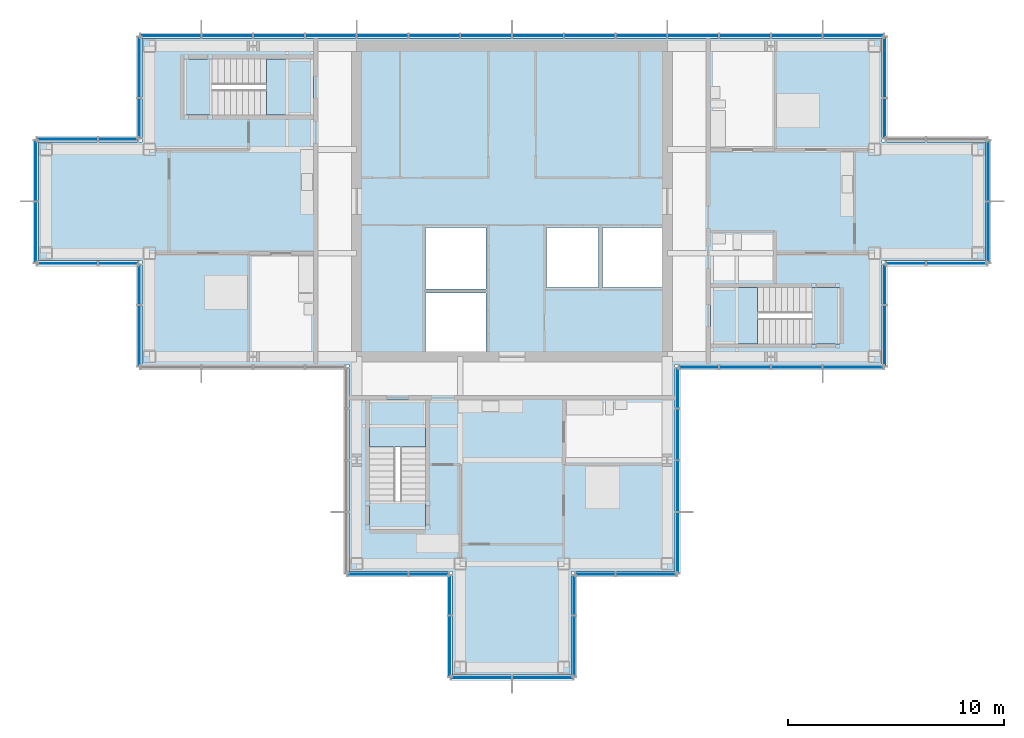
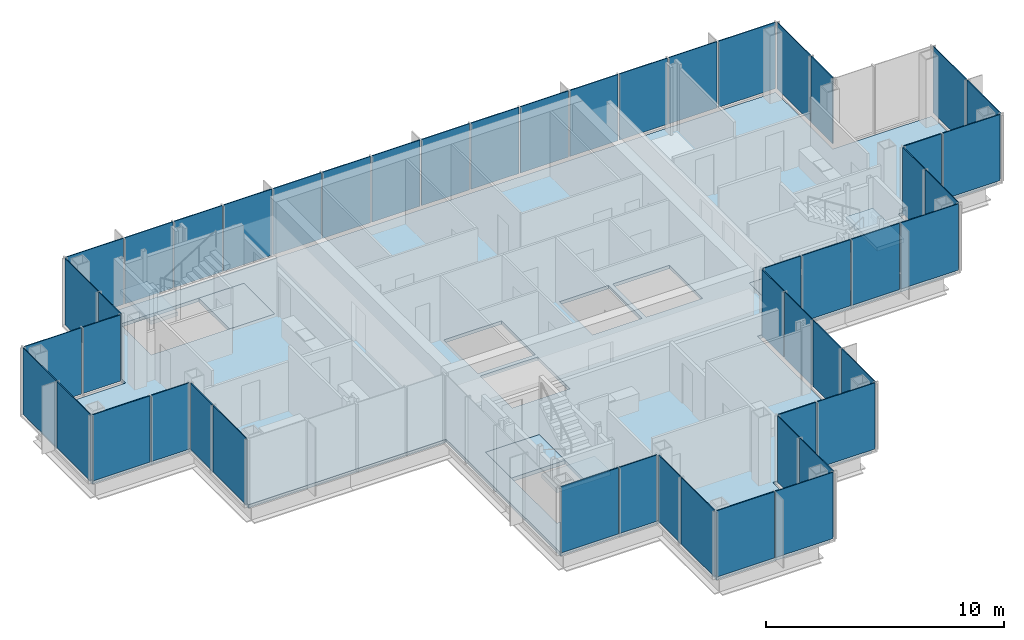
# One storey, part 9 of 15: 50 plates, 7 slabs, 20 elements without a shape of their own.
"""IFC4 building model written with IfcOpenShell, lengths in metres."""

from ifc_helpers import new_model, si_unit, direction, frame, origin, origin_2d, place, context, subcontext, project, spatial, polyline, rectangle, outline, extrude, material, layer, layer_set, type_object, element, aggregate, save


model = new_model("IFC4")

# Units and contexts
model_context = context("Model", 3, precision=1e-05, world=origin(), true_north=direction((0.0, 1.0)))
body_context = subcontext(model_context, "Body", "Model", "MODEL_VIEW")
ifc_project = project(units=[si_unit("LENGTHUNIT", "METRE"), si_unit("AREAUNIT", "SQUARE_METRE"), si_unit("VOLUMEUNIT", "CUBIC_METRE"), si_unit("PLANEANGLEUNIT", "RADIAN"), si_unit("MASSUNIT", "GRAM", prefix="KILO")], contexts=[model_context])

# Site, building, storey
site_placement = place(None, origin())
site = spatial("IfcSite", under=ifc_project, at=site_placement, CompositionType="ELEMENT")
building_placement = place(site_placement, origin())
building = spatial("IfcBuilding", under=site, at=building_placement, Name="Kvirike Care Tower", CompositionType="ELEMENT")
storey_placement = place(building_placement, frame((0.0, 0.0, 198.0)))
storey = spatial("IfcBuildingStorey", under=building, at=storey_placement, Name="L54", CompositionType="ELEMENT", Elevation=198.0)

# Slab
ifc_material_1 = material(Name="Concrete C35/45", Category="concrete")
ifc_layer_1 = layer(ifc_material_1, 0.169921875)
ifc_layer_set_1 = layer_set([ifc_layer_1], Name="FLOOR SLAB 170")
slab_type_1 = type_object("IfcSlabType", Name="FLOOR SLAB 170", PredefinedType="FLOOR", material=ifc_layer_set_1)
slab_1_placement = place(storey_placement, frame((0.0, 0.0, -0.169921875)))
element("IfcSlab", 1, at=slab_1_placement, inside=storey, type_object=slab_type_1, Name="Floor slab L54", PredefinedType="FLOOR", context=body_context, shape_type="SweptSolid", body=[
    extrude(outline(polyline([(29.14990234375, 28.449951171875), (38.75, 28.449951171875), (38.75, 33.25), (43.550048828125, 33.25), (43.550048828125, 38.75), (38.75, 38.75), (38.75, 43.550048828125), (4.449951171875, 43.550048828125), (4.449951171875, 38.75), (-0.35009765625, 38.75), (-0.35009765625, 33.25), (4.449951171875, 33.25), (4.449951171875, 28.449951171875), (14.050048828125, 28.449951171875), (14.050048828125, 18.85009765625), (18.85009765625, 18.85009765625), (18.85009765625, 14.050048828125), (24.35009765625, 14.050048828125), (24.35009765625, 18.85009765625), (29.14990234375, 18.85009765625), (29.14990234375, 28.449951171875)]), holes=[polyline([(17.60009765625, 29.050048828125), (17.60009765625, 31.75), (20.39990234375, 31.75), (20.39990234375, 29.050048828125), (17.60009765625, 29.050048828125)]), polyline([(17.60009765625, 31.949951171875), (17.60009765625, 34.800048828125), (20.39990234375, 34.800048828125), (20.39990234375, 31.949951171875), (17.60009765625, 31.949951171875)]), polyline([(23.199951171875, 32.0), (23.199951171875, 34.800048828125), (25.60009765625, 34.800048828125), (25.60009765625, 32.0), (23.199951171875, 32.0)]), polyline([(25.800048828125, 32.0), (25.800048828125, 34.800048828125), (28.550048828125, 34.800048828125), (28.550048828125, 32.0), (25.800048828125, 32.0)]), polyline([(12.39990234375, 42.60009765625), (12.39990234375, 40.0), (6.39990234375, 40.0), (6.39990234375, 42.60009765625), (12.39990234375, 42.60009765625)]), polyline([(30.800048828125, 29.39990234375), (30.800048828125, 32.0), (36.800048828125, 32.0), (36.800048828125, 29.39990234375), (30.800048828125, 29.39990234375)]), polyline([(15.0, 26.800048828125), (17.60009765625, 26.800048828125), (17.60009765625, 20.800048828125), (15.0, 20.800048828125), (15.0, 26.800048828125)])]), origin(), (0.0, 0.0, 1.0), 0.169921875),
])

# Stair, slabs
ifc_material_2 = material(Name="Concrete C35/45", Category="concrete")
stair_type = type_object("IfcStairType", Name="STAIR 20 RISERS", PredefinedType="HALF_TURN_STAIR", material=ifc_material_2)
stair_1_placement = place(storey_placement, origin())
stair_1 = element("IfcStair", 2, at=stair_1_placement, inside=storey, type_object=stair_type, Name="Stair 1 L54", PredefinedType="HALF_TURN_STAIR")
ifc_material_3 = material(Name="Concrete C35/45", Category="concrete")
ifc_layer_2 = layer(ifc_material_3, 0.199951171875)
ifc_layer_set_2 = layer_set([ifc_layer_2], Name="STAIR LANDING 200")
slab_type_2 = type_object("IfcSlabType", Name="STAIR LANDING 200", PredefinedType="LANDING", material=ifc_layer_set_2)
slab_2_placement = place(storey_placement, frame((0.0, 0.0, -0.199951171875)))
slab_2 = element("IfcSlab", 3, at=slab_2_placement, type_object=slab_type_2, Name="Stair S1 floor landing L54", PredefinedType="LANDING", context=body_context, shape_type="SweptSolid", body=[
    extrude(outline(polyline([(10.219970703125, 42.60009765625), (10.219970703125, 40.0), (12.39990234375, 40.0), (12.39990234375, 42.60009765625), (10.219970703125, 42.60009765625)])), origin(), (0.0, 0.0, 1.0), 0.199951171875),
])
slab_3_placement = place(storey_placement, frame((0.0, 0.0, 1.550048828125)))
slab_3 = element("IfcSlab", 4, at=slab_3_placement, type_object=slab_type_2, Name="Stair S1 half landing L54-L55", PredefinedType="LANDING", context=body_context, shape_type="SweptSolid", body=[
    extrude(outline(polyline([(6.39990234375, 42.60009765625), (6.39990234375, 40.0), (7.699951171875, 40.0), (7.699951171875, 42.60009765625), (6.39990234375, 42.60009765625)])), origin(), (0.0, 0.0, 1.0), 0.199951171875),
])
aggregate(stair_1, [slab_2, slab_3])

stair_2_placement = place(storey_placement, origin())
stair_2 = element("IfcStair", 5, at=stair_2_placement, inside=storey, type_object=stair_type, Name="Stair 2 L54", PredefinedType="HALF_TURN_STAIR")
slab_4_placement = place(storey_placement, frame((0.0, 0.0, -0.199951171875)))
slab_4 = element("IfcSlab", 6, at=slab_4_placement, type_object=slab_type_2, Name="Stair S2 floor landing L54", PredefinedType="LANDING", context=body_context, shape_type="SweptSolid", body=[
    extrude(outline(polyline([(32.97998046875, 29.39990234375), (32.97998046875, 32.0), (30.800048828125, 32.0), (30.800048828125, 29.39990234375), (32.97998046875, 29.39990234375)])), origin(), (0.0, 0.0, 1.0), 0.199951171875),
])
slab_5_placement = place(storey_placement, frame((0.0, 0.0, 1.550048828125)))
slab_5 = element("IfcSlab", 7, at=slab_5_placement, type_object=slab_type_2, Name="Stair S2 half landing L54-L55", PredefinedType="LANDING", context=body_context, shape_type="SweptSolid", body=[
    extrude(outline(polyline([(36.800048828125, 29.39990234375), (36.800048828125, 32.0), (35.5, 32.0), (35.5, 29.39990234375), (36.800048828125, 29.39990234375)])), origin(), (0.0, 0.0, 1.0), 0.199951171875),
])
aggregate(stair_2, [slab_4, slab_5])

stair_3_placement = place(storey_placement, origin())
stair_3 = element("IfcStair", 8, at=stair_3_placement, inside=storey, type_object=stair_type, Name="Stair 5 L54", PredefinedType="HALF_TURN_STAIR")
slab_6_placement = place(storey_placement, frame((0.0, 0.0, -0.199951171875)))
slab_6 = element("IfcSlab", 9, at=slab_6_placement, type_object=slab_type_2, Name="Stair S5 floor landing L54", PredefinedType="LANDING", context=body_context, shape_type="SweptSolid", body=[
    extrude(outline(polyline([(15.0, 24.6201171875), (17.60009765625, 24.6201171875), (17.60009765625, 26.800048828125), (15.0, 26.800048828125), (15.0, 24.6201171875)])), origin(), (0.0, 0.0, 1.0), 0.199951171875),
])
slab_7_placement = place(storey_placement, frame((0.0, 0.0, 1.550048828125)))
slab_7 = element("IfcSlab", 10, at=slab_7_placement, type_object=slab_type_2, Name="Stair S5 half landing L54-L55", PredefinedType="LANDING", context=body_context, shape_type="SweptSolid", body=[
    extrude(outline(polyline([(15.0, 20.800048828125), (17.60009765625, 20.800048828125), (17.60009765625, 22.10009765625), (15.0, 22.10009765625), (15.0, 20.800048828125)])), origin(), (0.0, 0.0, 1.0), 0.199951171875),
])
aggregate(stair_3, [slab_6, slab_7])

# Curtain wall, plates
ifc_material_4 = material(Name="Anodised aluminium stick system", Category="aluminium")
curtain_wall_type = type_object("IfcCurtainWallType", Name="CW-D STICK CURTAIN WALL", PredefinedType="NOTDEFINED", material=ifc_material_4)
curtain_wall_1_placement = place(storey_placement, origin())
curtain_wall_1 = element("IfcCurtainWall", 11, at=curtain_wall_1_placement, inside=storey, type_object=curtain_wall_type, Name="Curtain wall L54 face 1", PredefinedType="NOTDEFINED")
ifc_material_5 = material(Name="Tinted double glazed unit", Category="glass")
ifc_layer_3 = layer(ifc_material_5, 0.0439453125)
ifc_layer_set_3 = layer_set([ifc_layer_3], Name="TINTED VISION PANEL 44")
plate_type = type_object("IfcPlateType", Name="TINTED VISION PANEL 44", PredefinedType="CURTAIN_PANEL", material=ifc_layer_set_3)
plate_1_placement = place(storey_placement, frame((30.25634765625, 28.320068359375, 0.10009765625), z_axis=(0.0, 0.0, 1.0), x_axis=(1.0, 0.0, 0.0)))
plate_1 = element("IfcPlate", 12, at=plate_1_placement, type_object=plate_type, Name="CW-D panel L54 face 1.1", PredefinedType="CURTAIN_PANEL", context=body_context, shape_type="SweptSolid", body=[
    extrude(rectangle(XDim=1.822509765625, YDim=0.0439453125, at=origin_2d()), origin(), (0.0, 0.0, 1.0), 3.39990234375),
])
plate_2_placement = place(storey_placement, frame((32.39990234375, 28.320068359375, 0.10009765625), z_axis=(0.0, 0.0, 1.0), x_axis=(1.0, 0.0, 0.0)))
plate_2 = element("IfcPlate", 13, at=plate_2_placement, type_object=plate_type, Name="CW-D panel L54 face 1.2", PredefinedType="CURTAIN_PANEL", context=body_context, shape_type="SweptSolid", body=[
    extrude(rectangle(XDim=2.3349609375, YDim=0.0439453125, at=origin_2d()), origin(), (0.0, 0.0, 1.0), 3.39990234375),
])
plate_3_placement = place(storey_placement, frame((34.800048828125, 28.320068359375, 0.10009765625), z_axis=(0.0, 0.0, 1.0), x_axis=(1.0, 0.0, 0.0)))
plate_3 = element("IfcPlate", 14, at=plate_3_placement, type_object=plate_type, Name="CW-D panel L54 face 1.3", PredefinedType="CURTAIN_PANEL", context=body_context, shape_type="SweptSolid", body=[
    extrude(rectangle(XDim=2.3349609375, YDim=0.0439453125, at=origin_2d()), origin(), (0.0, 0.0, 1.0), 3.39990234375),
])
plate_4_placement = place(storey_placement, frame((37.423828125, 28.320068359375, 0.10009765625), z_axis=(0.0, 0.0, 1.0), x_axis=(1.0, 0.0, 0.0)))
plate_4 = element("IfcPlate", 15, at=plate_4_placement, type_object=plate_type, Name="CW-D panel L54 face 1.4", PredefinedType="CURTAIN_PANEL", context=body_context, shape_type="SweptSolid", body=[
    extrude(rectangle(XDim=2.782470703125, YDim=0.0439453125, at=origin_2d()), origin(), (0.0, 0.0, 1.0), 3.39990234375),
])
aggregate(curtain_wall_1, [plate_1, plate_2, plate_3, plate_4])

curtain_wall_2_placement = place(storey_placement, origin())
curtain_wall_2 = element("IfcCurtainWall", 16, at=curtain_wall_2_placement, inside=storey, type_object=curtain_wall_type, Name="Curtain wall L54 face 2", PredefinedType="NOTDEFINED")
plate_5_placement = place(storey_placement, frame((38.8798828125, 29.7763671875, 0.10009765625), z_axis=(0.0, 0.0, 1.0), x_axis=(0.0, 1.0, 0.0)))
plate_5 = element("IfcPlate", 17, at=plate_5_placement, type_object=plate_type, Name="CW-D panel L54 face 2.1", PredefinedType="CURTAIN_PANEL", context=body_context, shape_type="SweptSolid", body=[
    extrude(rectangle(XDim=2.782470703125, YDim=0.0439453125, at=origin_2d()), origin(), (0.0, 0.0, 1.0), 3.39990234375),
])
plate_6_placement = place(storey_placement, frame((38.8798828125, 32.143798828125, 0.10009765625), z_axis=(0.0, 0.0, 1.0), x_axis=(0.0, 1.0, 0.0)))
plate_6 = element("IfcPlate", 18, at=plate_6_placement, type_object=plate_type, Name="CW-D panel L54 face 2.2", PredefinedType="CURTAIN_PANEL", context=body_context, shape_type="SweptSolid", body=[
    extrude(rectangle(XDim=1.822509765625, YDim=0.0439453125, at=origin_2d()), origin(), (0.0, 0.0, 1.0), 3.39990234375),
])
aggregate(curtain_wall_2, [plate_5, plate_6])

curtain_wall_3_placement = place(storey_placement, origin())
curtain_wall_3 = element("IfcCurtainWall", 19, at=curtain_wall_3_placement, inside=storey, type_object=curtain_wall_type, Name="Curtain wall L54 face 3", PredefinedType="NOTDEFINED")
plate_7_placement = place(storey_placement, frame((39.856201171875, 33.1201171875, 0.10009765625), z_axis=(0.0, 0.0, 1.0), x_axis=(1.0, 0.0, 0.0)))
plate_7 = element("IfcPlate", 20, at=plate_7_placement, type_object=plate_type, Name="CW-D panel L54 face 3.1", PredefinedType="CURTAIN_PANEL", context=body_context, shape_type="SweptSolid", body=[
    extrude(rectangle(XDim=1.822509765625, YDim=0.0439453125, at=origin_2d()), origin(), (0.0, 0.0, 1.0), 3.39990234375),
])
plate_8_placement = place(storey_placement, frame((42.2236328125, 33.1201171875, 0.10009765625), z_axis=(0.0, 0.0, 1.0), x_axis=(1.0, 0.0, 0.0)))
plate_8 = element("IfcPlate", 21, at=plate_8_placement, type_object=plate_type, Name="CW-D panel L54 face 3.2", PredefinedType="CURTAIN_PANEL", context=body_context, shape_type="SweptSolid", body=[
    extrude(rectangle(XDim=2.782470703125, YDim=0.0439453125, at=origin_2d()), origin(), (0.0, 0.0, 1.0), 3.39990234375),
])
aggregate(curtain_wall_3, [plate_7, plate_8])

curtain_wall_4_placement = place(storey_placement, origin())
curtain_wall_4 = element("IfcCurtainWall", 22, at=curtain_wall_4_placement, inside=storey, type_object=curtain_wall_type, Name="Curtain wall L54 face 4", PredefinedType="NOTDEFINED")
plate_9_placement = place(storey_placement, frame((43.679931640625, 34.576171875, 0.10009765625), z_axis=(0.0, 0.0, 1.0), x_axis=(0.0, 1.0, 0.0)))
plate_9 = element("IfcPlate", 23, at=plate_9_placement, type_object=plate_type, Name="CW-D panel L54 face 4.1", PredefinedType="CURTAIN_PANEL", context=body_context, shape_type="SweptSolid", body=[
    extrude(rectangle(XDim=2.782470703125, YDim=0.0439453125, at=origin_2d()), origin(), (0.0, 0.0, 1.0), 3.39990234375),
])
plate_10_placement = place(storey_placement, frame((43.679931640625, 37.423828125, 0.10009765625), z_axis=(0.0, 0.0, 1.0), x_axis=(0.0, 1.0, 0.0)))
plate_10 = element("IfcPlate", 24, at=plate_10_placement, type_object=plate_type, Name="CW-D panel L54 face 4.2", PredefinedType="CURTAIN_PANEL", context=body_context, shape_type="SweptSolid", body=[
    extrude(rectangle(XDim=2.782470703125, YDim=0.0439453125, at=origin_2d()), origin(), (0.0, 0.0, 1.0), 3.39990234375),
])
aggregate(curtain_wall_4, [plate_9, plate_10])

curtain_wall_5_placement = place(storey_placement, origin())
curtain_wall_5 = element("IfcCurtainWall", 25, at=curtain_wall_5_placement, inside=storey, type_object=curtain_wall_type, Name="Curtain wall L54 face 6", PredefinedType="NOTDEFINED")
plate_11_placement = place(storey_placement, frame((38.8798828125, 39.856201171875, 0.10009765625), z_axis=(0.0, 0.0, 1.0), x_axis=(0.0, 1.0, 0.0)))
plate_11 = element("IfcPlate", 26, at=plate_11_placement, type_object=plate_type, Name="CW-D panel L54 face 6.1", PredefinedType="CURTAIN_PANEL", context=body_context, shape_type="SweptSolid", body=[
    extrude(rectangle(XDim=1.822509765625, YDim=0.0439453125, at=origin_2d()), origin(), (0.0, 0.0, 1.0), 3.39990234375),
])
plate_12_placement = place(storey_placement, frame((38.8798828125, 42.2236328125, 0.10009765625), z_axis=(0.0, 0.0, 1.0), x_axis=(0.0, 1.0, 0.0)))
plate_12 = element("IfcPlate", 27, at=plate_12_placement, type_object=plate_type, Name="CW-D panel L54 face 6.2", PredefinedType="CURTAIN_PANEL", context=body_context, shape_type="SweptSolid", body=[
    extrude(rectangle(XDim=2.782470703125, YDim=0.0439453125, at=origin_2d()), origin(), (0.0, 0.0, 1.0), 3.39990234375),
])
aggregate(curtain_wall_5, [plate_11, plate_12])

curtain_wall_6_placement = place(storey_placement, origin())
curtain_wall_6 = element("IfcCurtainWall", 28, at=curtain_wall_6_placement, inside=storey, type_object=curtain_wall_type, Name="Curtain wall L54 face 7", PredefinedType="NOTDEFINED")
plate_13_placement = place(storey_placement, frame((37.423828125, 43.679931640625, 0.10009765625), z_axis=(0.0, 0.0, 1.0), x_axis=(-1.0, 0.0, 0.0)))
plate_13 = element("IfcPlate", 29, at=plate_13_placement, type_object=plate_type, Name="CW-D panel L54 face 7.1", PredefinedType="CURTAIN_PANEL", context=body_context, shape_type="SweptSolid", body=[
    extrude(rectangle(XDim=2.782470703125, YDim=0.0439453125, at=origin_2d()), origin(), (0.0, 0.0, 1.0), 3.39990234375),
])
plate_14_placement = place(storey_placement, frame((34.800048828125, 43.679931640625, 0.10009765625), z_axis=(0.0, 0.0, 1.0), x_axis=(-1.0, 0.0, 0.0)))
plate_14 = element("IfcPlate", 30, at=plate_14_placement, type_object=plate_type, Name="CW-D panel L54 face 7.2", PredefinedType="CURTAIN_PANEL", context=body_context, shape_type="SweptSolid", body=[
    extrude(rectangle(XDim=2.3349609375, YDim=0.0439453125, at=origin_2d()), origin(), (0.0, 0.0, 1.0), 3.39990234375),
])
plate_15_placement = place(storey_placement, frame((32.39990234375, 43.679931640625, 0.10009765625), z_axis=(0.0, 0.0, 1.0), x_axis=(-1.0, 0.0, 0.0)))
plate_15 = element("IfcPlate", 31, at=plate_15_placement, type_object=plate_type, Name="CW-D panel L54 face 7.3", PredefinedType="CURTAIN_PANEL", context=body_context, shape_type="SweptSolid", body=[
    extrude(rectangle(XDim=2.3349609375, YDim=0.0439453125, at=origin_2d()), origin(), (0.0, 0.0, 1.0), 3.39990234375),
])
plate_16_placement = place(storey_placement, frame((30.0, 43.679931640625, 0.10009765625), z_axis=(0.0, 0.0, 1.0), x_axis=(-1.0, 0.0, 0.0)))
plate_16 = element("IfcPlate", 32, at=plate_16_placement, type_object=plate_type, Name="CW-D panel L54 face 7.4", PredefinedType="CURTAIN_PANEL", context=body_context, shape_type="SweptSolid", body=[
    extrude(rectangle(XDim=2.3349609375, YDim=0.0439453125, at=origin_2d()), origin(), (0.0, 0.0, 1.0), 3.39990234375),
])
plate_17_placement = place(storey_placement, frame((27.60009765625, 43.679931640625, 0.10009765625), z_axis=(0.0, 0.0, 1.0), x_axis=(-1.0, 0.0, 0.0)))
plate_17 = element("IfcPlate", 33, at=plate_17_placement, type_object=plate_type, Name="CW-D panel L54 face 7.5", PredefinedType="CURTAIN_PANEL", context=body_context, shape_type="SweptSolid", body=[
    extrude(rectangle(XDim=2.3349609375, YDim=0.0439453125, at=origin_2d()), origin(), (0.0, 0.0, 1.0), 3.39990234375),
])
plate_18_placement = place(storey_placement, frame((25.199951171875, 43.679931640625, 0.10009765625), z_axis=(0.0, 0.0, 1.0), x_axis=(-1.0, 0.0, 0.0)))
plate_18 = element("IfcPlate", 34, at=plate_18_placement, type_object=plate_type, Name="CW-D panel L54 face 7.6", PredefinedType="CURTAIN_PANEL", context=body_context, shape_type="SweptSolid", body=[
    extrude(rectangle(XDim=2.3349609375, YDim=0.0439453125, at=origin_2d()), origin(), (0.0, 0.0, 1.0), 3.39990234375),
])
plate_19_placement = place(storey_placement, frame((22.800048828125, 43.679931640625, 0.10009765625), z_axis=(0.0, 0.0, 1.0), x_axis=(-1.0, 0.0, 0.0)))
plate_19 = element("IfcPlate", 35, at=plate_19_placement, type_object=plate_type, Name="CW-D panel L54 face 7.7", PredefinedType="CURTAIN_PANEL", context=body_context, shape_type="SweptSolid", body=[
    extrude(rectangle(XDim=2.3349609375, YDim=0.0439453125, at=origin_2d()), origin(), (0.0, 0.0, 1.0), 3.39990234375),
])
plate_20_placement = place(storey_placement, frame((20.39990234375, 43.679931640625, 0.10009765625), z_axis=(0.0, 0.0, 1.0), x_axis=(-1.0, 0.0, 0.0)))
plate_20 = element("IfcPlate", 36, at=plate_20_placement, type_object=plate_type, Name="CW-D panel L54 face 7.8", PredefinedType="CURTAIN_PANEL", context=body_context, shape_type="SweptSolid", body=[
    extrude(rectangle(XDim=2.3349609375, YDim=0.0439453125, at=origin_2d()), origin(), (0.0, 0.0, 1.0), 3.39990234375),
])
plate_21_placement = place(storey_placement, frame((18.0, 43.679931640625, 0.10009765625), z_axis=(0.0, 0.0, 1.0), x_axis=(-1.0, 0.0, 0.0)))
plate_21 = element("IfcPlate", 37, at=plate_21_placement, type_object=plate_type, Name="CW-D panel L54 face 7.9", PredefinedType="CURTAIN_PANEL", context=body_context, shape_type="SweptSolid", body=[
    extrude(rectangle(XDim=2.3349609375, YDim=0.0439453125, at=origin_2d()), origin(), (0.0, 0.0, 1.0), 3.39990234375),
])
plate_22_placement = place(storey_placement, frame((15.60009765625, 43.679931640625, 0.10009765625), z_axis=(0.0, 0.0, 1.0), x_axis=(-1.0, 0.0, 0.0)))
plate_22 = element("IfcPlate", 38, at=plate_22_placement, type_object=plate_type, Name="CW-D panel L54 face 7.10", PredefinedType="CURTAIN_PANEL", context=body_context, shape_type="SweptSolid", body=[
    extrude(rectangle(XDim=2.3349609375, YDim=0.0439453125, at=origin_2d()), origin(), (0.0, 0.0, 1.0), 3.39990234375),
])
plate_23_placement = place(storey_placement, frame((13.199951171875, 43.679931640625, 0.10009765625), z_axis=(0.0, 0.0, 1.0), x_axis=(-1.0, 0.0, 0.0)))
plate_23 = element("IfcPlate", 39, at=plate_23_placement, type_object=plate_type, Name="CW-D panel L54 face 7.11", PredefinedType="CURTAIN_PANEL", context=body_context, shape_type="SweptSolid", body=[
    extrude(rectangle(XDim=2.3349609375, YDim=0.0439453125, at=origin_2d()), origin(), (0.0, 0.0, 1.0), 3.39990234375),
])
plate_24_placement = place(storey_placement, frame((10.800048828125, 43.679931640625, 0.10009765625), z_axis=(0.0, 0.0, 1.0), x_axis=(-1.0, 0.0, 0.0)))
plate_24 = element("IfcPlate", 40, at=plate_24_placement, type_object=plate_type, Name="CW-D panel L54 face 7.12", PredefinedType="CURTAIN_PANEL", context=body_context, shape_type="SweptSolid", body=[
    extrude(rectangle(XDim=2.3349609375, YDim=0.0439453125, at=origin_2d()), origin(), (0.0, 0.0, 1.0), 3.39990234375),
])
plate_25_placement = place(storey_placement, frame((8.39990234375, 43.679931640625, 0.10009765625), z_axis=(0.0, 0.0, 1.0), x_axis=(-1.0, 0.0, 0.0)))
plate_25 = element("IfcPlate", 41, at=plate_25_placement, type_object=plate_type, Name="CW-D panel L54 face 7.13", PredefinedType="CURTAIN_PANEL", context=body_context, shape_type="SweptSolid", body=[
    extrude(rectangle(XDim=2.3349609375, YDim=0.0439453125, at=origin_2d()), origin(), (0.0, 0.0, 1.0), 3.39990234375),
])
plate_26_placement = place(storey_placement, frame((5.7763671875, 43.679931640625, 0.10009765625), z_axis=(0.0, 0.0, 1.0), x_axis=(-1.0, 0.0, 0.0)))
plate_26 = element("IfcPlate", 42, at=plate_26_placement, type_object=plate_type, Name="CW-D panel L54 face 7.14", PredefinedType="CURTAIN_PANEL", context=body_context, shape_type="SweptSolid", body=[
    extrude(rectangle(XDim=2.782470703125, YDim=0.0439453125, at=origin_2d()), origin(), (0.0, 0.0, 1.0), 3.39990234375),
])
aggregate(curtain_wall_6, [plate_13, plate_14, plate_15, plate_16, plate_17, plate_18, plate_19, plate_20, plate_21, plate_22, plate_23, plate_24, plate_25, plate_26])

curtain_wall_7_placement = place(storey_placement, origin())
curtain_wall_7 = element("IfcCurtainWall", 43, at=curtain_wall_7_placement, inside=storey, type_object=curtain_wall_type, Name="Curtain wall L54 face 8", PredefinedType="NOTDEFINED")
plate_27_placement = place(storey_placement, frame((4.320068359375, 42.2236328125, 0.10009765625), z_axis=(0.0, 0.0, 1.0), x_axis=(0.0, -1.0, 0.0)))
plate_27 = element("IfcPlate", 44, at=plate_27_placement, type_object=plate_type, Name="CW-D panel L54 face 8.1", PredefinedType="CURTAIN_PANEL", context=body_context, shape_type="SweptSolid", body=[
    extrude(rectangle(XDim=2.782470703125, YDim=0.0439453125, at=origin_2d()), origin(), (0.0, 0.0, 1.0), 3.39990234375),
])
plate_28_placement = place(storey_placement, frame((4.320068359375, 39.856201171875, 0.10009765625), z_axis=(0.0, 0.0, 1.0), x_axis=(0.0, -1.0, 0.0)))
plate_28 = element("IfcPlate", 45, at=plate_28_placement, type_object=plate_type, Name="CW-D panel L54 face 8.2", PredefinedType="CURTAIN_PANEL", context=body_context, shape_type="SweptSolid", body=[
    extrude(rectangle(XDim=1.822509765625, YDim=0.0439453125, at=origin_2d()), origin(), (0.0, 0.0, 1.0), 3.39990234375),
])
aggregate(curtain_wall_7, [plate_27, plate_28])

curtain_wall_8_placement = place(storey_placement, origin())
curtain_wall_8 = element("IfcCurtainWall", 46, at=curtain_wall_8_placement, inside=storey, type_object=curtain_wall_type, Name="Curtain wall L54 face 9", PredefinedType="NOTDEFINED")
plate_29_placement = place(storey_placement, frame((3.34375, 38.8798828125, 0.10009765625), z_axis=(0.0, 0.0, 1.0), x_axis=(-1.0, 0.0, 0.0)))
plate_29 = element("IfcPlate", 47, at=plate_29_placement, type_object=plate_type, Name="CW-D panel L54 face 9.1", PredefinedType="CURTAIN_PANEL", context=body_context, shape_type="SweptSolid", body=[
    extrude(rectangle(XDim=1.822509765625, YDim=0.0439453125, at=origin_2d()), origin(), (0.0, 0.0, 1.0), 3.39990234375),
])
plate_30_placement = place(storey_placement, frame((0.976318359375, 38.8798828125, 0.10009765625), z_axis=(0.0, 0.0, 1.0), x_axis=(-1.0, 0.0, 0.0)))
plate_30 = element("IfcPlate", 48, at=plate_30_placement, type_object=plate_type, Name="CW-D panel L54 face 9.2", PredefinedType="CURTAIN_PANEL", context=body_context, shape_type="SweptSolid", body=[
    extrude(rectangle(XDim=2.782470703125, YDim=0.0439453125, at=origin_2d()), origin(), (0.0, 0.0, 1.0), 3.39990234375),
])
aggregate(curtain_wall_8, [plate_29, plate_30])

curtain_wall_9_placement = place(storey_placement, origin())
curtain_wall_9 = element("IfcCurtainWall", 49, at=curtain_wall_9_placement, inside=storey, type_object=curtain_wall_type, Name="Curtain wall L54 face 10", PredefinedType="NOTDEFINED")
plate_31_placement = place(storey_placement, frame((-0.47998046875, 37.423828125, 0.10009765625), z_axis=(0.0, 0.0, 1.0), x_axis=(0.0, -1.0, 0.0)))
plate_31 = element("IfcPlate", 50, at=plate_31_placement, type_object=plate_type, Name="CW-D panel L54 face 10.1", PredefinedType="CURTAIN_PANEL", context=body_context, shape_type="SweptSolid", body=[
    extrude(rectangle(XDim=2.782470703125, YDim=0.0439453125, at=origin_2d()), origin(), (0.0, 0.0, 1.0), 3.39990234375),
])
plate_32_placement = place(storey_placement, frame((-0.47998046875, 34.576171875, 0.10009765625), z_axis=(0.0, 0.0, 1.0), x_axis=(0.0, -1.0, 0.0)))
plate_32 = element("IfcPlate", 51, at=plate_32_placement, type_object=plate_type, Name="CW-D panel L54 face 10.2", PredefinedType="CURTAIN_PANEL", context=body_context, shape_type="SweptSolid", body=[
    extrude(rectangle(XDim=2.782470703125, YDim=0.0439453125, at=origin_2d()), origin(), (0.0, 0.0, 1.0), 3.39990234375),
])
aggregate(curtain_wall_9, [plate_31, plate_32])

curtain_wall_10_placement = place(storey_placement, origin())
curtain_wall_10 = element("IfcCurtainWall", 52, at=curtain_wall_10_placement, inside=storey, type_object=curtain_wall_type, Name="Curtain wall L54 face 11", PredefinedType="NOTDEFINED")
plate_33_placement = place(storey_placement, frame((0.976318359375, 33.1201171875, 0.10009765625), z_axis=(0.0, 0.0, 1.0), x_axis=(1.0, 0.0, 0.0)))
plate_33 = element("IfcPlate", 53, at=plate_33_placement, type_object=plate_type, Name="CW-D panel L54 face 11.1", PredefinedType="CURTAIN_PANEL", context=body_context, shape_type="SweptSolid", body=[
    extrude(rectangle(XDim=2.782470703125, YDim=0.0439453125, at=origin_2d()), origin(), (0.0, 0.0, 1.0), 3.39990234375),
])
plate_34_placement = place(storey_placement, frame((3.34375, 33.1201171875, 0.10009765625), z_axis=(0.0, 0.0, 1.0), x_axis=(1.0, 0.0, 0.0)))
plate_34 = element("IfcPlate", 54, at=plate_34_placement, type_object=plate_type, Name="CW-D panel L54 face 11.2", PredefinedType="CURTAIN_PANEL", context=body_context, shape_type="SweptSolid", body=[
    extrude(rectangle(XDim=1.822509765625, YDim=0.0439453125, at=origin_2d()), origin(), (0.0, 0.0, 1.0), 3.39990234375),
])
aggregate(curtain_wall_10, [plate_33, plate_34])

curtain_wall_11_placement = place(storey_placement, origin())
curtain_wall_11 = element("IfcCurtainWall", 55, at=curtain_wall_11_placement, inside=storey, type_object=curtain_wall_type, Name="Curtain wall L54 face 12", PredefinedType="NOTDEFINED")
plate_35_placement = place(storey_placement, frame((4.320068359375, 32.143798828125, 0.10009765625), z_axis=(0.0, 0.0, 1.0), x_axis=(0.0, -1.0, 0.0)))
plate_35 = element("IfcPlate", 56, at=plate_35_placement, type_object=plate_type, Name="CW-D panel L54 face 12.1", PredefinedType="CURTAIN_PANEL", context=body_context, shape_type="SweptSolid", body=[
    extrude(rectangle(XDim=1.822509765625, YDim=0.0439453125, at=origin_2d()), origin(), (0.0, 0.0, 1.0), 3.39990234375),
])
plate_36_placement = place(storey_placement, frame((4.320068359375, 29.7763671875, 0.10009765625), z_axis=(0.0, 0.0, 1.0), x_axis=(0.0, -1.0, 0.0)))
plate_36 = element("IfcPlate", 57, at=plate_36_placement, type_object=plate_type, Name="CW-D panel L54 face 12.2", PredefinedType="CURTAIN_PANEL", context=body_context, shape_type="SweptSolid", body=[
    extrude(rectangle(XDim=2.782470703125, YDim=0.0439453125, at=origin_2d()), origin(), (0.0, 0.0, 1.0), 3.39990234375),
])
aggregate(curtain_wall_11, [plate_35, plate_36])

curtain_wall_12_placement = place(storey_placement, origin())
curtain_wall_12 = element("IfcCurtainWall", 58, at=curtain_wall_12_placement, inside=storey, type_object=curtain_wall_type, Name="Curtain wall L54 face 15", PredefinedType="NOTDEFINED")
plate_37_placement = place(storey_placement, frame((15.376220703125, 18.719970703125, 0.10009765625), z_axis=(0.0, 0.0, 1.0), x_axis=(1.0, 0.0, 0.0)))
plate_37 = element("IfcPlate", 59, at=plate_37_placement, type_object=plate_type, Name="CW-D panel L54 face 15.1", PredefinedType="CURTAIN_PANEL", context=body_context, shape_type="SweptSolid", body=[
    extrude(rectangle(XDim=2.782470703125, YDim=0.0439453125, at=origin_2d()), origin(), (0.0, 0.0, 1.0), 3.39990234375),
])
plate_38_placement = place(storey_placement, frame((17.74365234375, 18.719970703125, 0.10009765625), z_axis=(0.0, 0.0, 1.0), x_axis=(1.0, 0.0, 0.0)))
plate_38 = element("IfcPlate", 60, at=plate_38_placement, type_object=plate_type, Name="CW-D panel L54 face 15.2", PredefinedType="CURTAIN_PANEL", context=body_context, shape_type="SweptSolid", body=[
    extrude(rectangle(XDim=1.822509765625, YDim=0.0439453125, at=origin_2d()), origin(), (0.0, 0.0, 1.0), 3.39990234375),
])
aggregate(curtain_wall_12, [plate_37, plate_38])

curtain_wall_13_placement = place(storey_placement, origin())
curtain_wall_13 = element("IfcCurtainWall", 61, at=curtain_wall_13_placement, inside=storey, type_object=curtain_wall_type, Name="Curtain wall L54 face 16", PredefinedType="NOTDEFINED")
plate_39_placement = place(storey_placement, frame((18.719970703125, 17.74365234375, 0.10009765625), z_axis=(0.0, 0.0, 1.0), x_axis=(0.0, -1.0, 0.0)))
plate_39 = element("IfcPlate", 62, at=plate_39_placement, type_object=plate_type, Name="CW-D panel L54 face 16.1", PredefinedType="CURTAIN_PANEL", context=body_context, shape_type="SweptSolid", body=[
    extrude(rectangle(XDim=1.822509765625, YDim=0.0439453125, at=origin_2d()), origin(), (0.0, 0.0, 1.0), 3.39990234375),
])
plate_40_placement = place(storey_placement, frame((18.719970703125, 15.376220703125, 0.10009765625), z_axis=(0.0, 0.0, 1.0), x_axis=(0.0, -1.0, 0.0)))
plate_40 = element("IfcPlate", 63, at=plate_40_placement, type_object=plate_type, Name="CW-D panel L54 face 16.2", PredefinedType="CURTAIN_PANEL", context=body_context, shape_type="SweptSolid", body=[
    extrude(rectangle(XDim=2.782470703125, YDim=0.0439453125, at=origin_2d()), origin(), (0.0, 0.0, 1.0), 3.39990234375),
])
aggregate(curtain_wall_13, [plate_39, plate_40])

curtain_wall_14_placement = place(storey_placement, origin())
curtain_wall_14 = element("IfcCurtainWall", 64, at=curtain_wall_14_placement, inside=storey, type_object=curtain_wall_type, Name="Curtain wall L54 face 17", PredefinedType="NOTDEFINED")
plate_41_placement = place(storey_placement, frame((20.17626953125, 13.919921875, 0.10009765625), z_axis=(0.0, 0.0, 1.0), x_axis=(1.0, 0.0, 0.0)))
plate_41 = element("IfcPlate", 65, at=plate_41_placement, type_object=plate_type, Name="CW-D panel L54 face 17.1", PredefinedType="CURTAIN_PANEL", context=body_context, shape_type="SweptSolid", body=[
    extrude(rectangle(XDim=2.782470703125, YDim=0.0439453125, at=origin_2d()), origin(), (0.0, 0.0, 1.0), 3.39990234375),
])
plate_42_placement = place(storey_placement, frame((23.023681640625, 13.919921875, 0.10009765625), z_axis=(0.0, 0.0, 1.0), x_axis=(1.0, 0.0, 0.0)))
plate_42 = element("IfcPlate", 66, at=plate_42_placement, type_object=plate_type, Name="CW-D panel L54 face 17.2", PredefinedType="CURTAIN_PANEL", context=body_context, shape_type="SweptSolid", body=[
    extrude(rectangle(XDim=2.782470703125, YDim=0.0439453125, at=origin_2d()), origin(), (0.0, 0.0, 1.0), 3.39990234375),
])
aggregate(curtain_wall_14, [plate_41, plate_42])

curtain_wall_15_placement = place(storey_placement, origin())
curtain_wall_15 = element("IfcCurtainWall", 67, at=curtain_wall_15_placement, inside=storey, type_object=curtain_wall_type, Name="Curtain wall L54 face 18", PredefinedType="NOTDEFINED")
plate_43_placement = place(storey_placement, frame((24.47998046875, 15.376220703125, 0.10009765625), z_axis=(0.0, 0.0, 1.0), x_axis=(0.0, 1.0, 0.0)))
plate_43 = element("IfcPlate", 68, at=plate_43_placement, type_object=plate_type, Name="CW-D panel L54 face 18.1", PredefinedType="CURTAIN_PANEL", context=body_context, shape_type="SweptSolid", body=[
    extrude(rectangle(XDim=2.782470703125, YDim=0.0439453125, at=origin_2d()), origin(), (0.0, 0.0, 1.0), 3.39990234375),
])
plate_44_placement = place(storey_placement, frame((24.47998046875, 17.74365234375, 0.10009765625), z_axis=(0.0, 0.0, 1.0), x_axis=(0.0, 1.0, 0.0)))
plate_44 = element("IfcPlate", 69, at=plate_44_placement, type_object=plate_type, Name="CW-D panel L54 face 18.2", PredefinedType="CURTAIN_PANEL", context=body_context, shape_type="SweptSolid", body=[
    extrude(rectangle(XDim=1.822509765625, YDim=0.0439453125, at=origin_2d()), origin(), (0.0, 0.0, 1.0), 3.39990234375),
])
aggregate(curtain_wall_15, [plate_43, plate_44])

curtain_wall_16_placement = place(storey_placement, origin())
curtain_wall_16 = element("IfcCurtainWall", 70, at=curtain_wall_16_placement, inside=storey, type_object=curtain_wall_type, Name="Curtain wall L54 face 19", PredefinedType="NOTDEFINED")
plate_45_placement = place(storey_placement, frame((25.456298828125, 18.719970703125, 0.10009765625), z_axis=(0.0, 0.0, 1.0), x_axis=(1.0, 0.0, 0.0)))
plate_45 = element("IfcPlate", 71, at=plate_45_placement, type_object=plate_type, Name="CW-D panel L54 face 19.1", PredefinedType="CURTAIN_PANEL", context=body_context, shape_type="SweptSolid", body=[
    extrude(rectangle(XDim=1.822509765625, YDim=0.0439453125, at=origin_2d()), origin(), (0.0, 0.0, 1.0), 3.39990234375),
])
plate_46_placement = place(storey_placement, frame((27.82373046875, 18.719970703125, 0.10009765625), z_axis=(0.0, 0.0, 1.0), x_axis=(1.0, 0.0, 0.0)))
plate_46 = element("IfcPlate", 72, at=plate_46_placement, type_object=plate_type, Name="CW-D panel L54 face 19.2", PredefinedType="CURTAIN_PANEL", context=body_context, shape_type="SweptSolid", body=[
    extrude(rectangle(XDim=2.782470703125, YDim=0.0439453125, at=origin_2d()), origin(), (0.0, 0.0, 1.0), 3.39990234375),
])
aggregate(curtain_wall_16, [plate_45, plate_46])

curtain_wall_17_placement = place(storey_placement, origin())
curtain_wall_17 = element("IfcCurtainWall", 73, at=curtain_wall_17_placement, inside=storey, type_object=curtain_wall_type, Name="Curtain wall L54 face 20", PredefinedType="NOTDEFINED")
plate_47_placement = place(storey_placement, frame((29.280029296875, 20.17626953125, 0.10009765625), z_axis=(0.0, 0.0, 1.0), x_axis=(0.0, 1.0, 0.0)))
plate_47 = element("IfcPlate", 74, at=plate_47_placement, type_object=plate_type, Name="CW-D panel L54 face 20.1", PredefinedType="CURTAIN_PANEL", context=body_context, shape_type="SweptSolid", body=[
    extrude(rectangle(XDim=2.782470703125, YDim=0.0439453125, at=origin_2d()), origin(), (0.0, 0.0, 1.0), 3.39990234375),
])
plate_48_placement = place(storey_placement, frame((29.280029296875, 22.800048828125, 0.10009765625), z_axis=(0.0, 0.0, 1.0), x_axis=(0.0, 1.0, 0.0)))
plate_48 = element("IfcPlate", 75, at=plate_48_placement, type_object=plate_type, Name="CW-D panel L54 face 20.2", PredefinedType="CURTAIN_PANEL", context=body_context, shape_type="SweptSolid", body=[
    extrude(rectangle(XDim=2.3349609375, YDim=0.0439453125, at=origin_2d()), origin(), (0.0, 0.0, 1.0), 3.39990234375),
])
plate_49_placement = place(storey_placement, frame((29.280029296875, 25.199951171875, 0.10009765625), z_axis=(0.0, 0.0, 1.0), x_axis=(0.0, 1.0, 0.0)))
plate_49 = element("IfcPlate", 76, at=plate_49_placement, type_object=plate_type, Name="CW-D panel L54 face 20.3", PredefinedType="CURTAIN_PANEL", context=body_context, shape_type="SweptSolid", body=[
    extrude(rectangle(XDim=2.3349609375, YDim=0.0439453125, at=origin_2d()), origin(), (0.0, 0.0, 1.0), 3.39990234375),
])
plate_50_placement = place(storey_placement, frame((29.280029296875, 27.34375, 0.10009765625), z_axis=(0.0, 0.0, 1.0), x_axis=(0.0, 1.0, 0.0)))
plate_50 = element("IfcPlate", 77, at=plate_50_placement, type_object=plate_type, Name="CW-D panel L54 face 20.4", PredefinedType="CURTAIN_PANEL", context=body_context, shape_type="SweptSolid", body=[
    extrude(rectangle(XDim=1.822509765625, YDim=0.0439453125, at=origin_2d()), origin(), (0.0, 0.0, 1.0), 3.39990234375),
])
aggregate(curtain_wall_17, [plate_47, plate_48, plate_49, plate_50])

save(model, "model.ifc")
